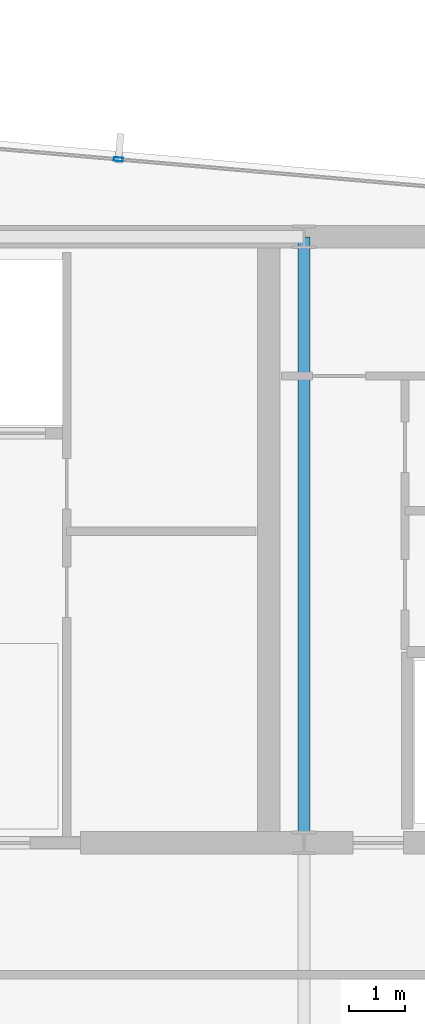
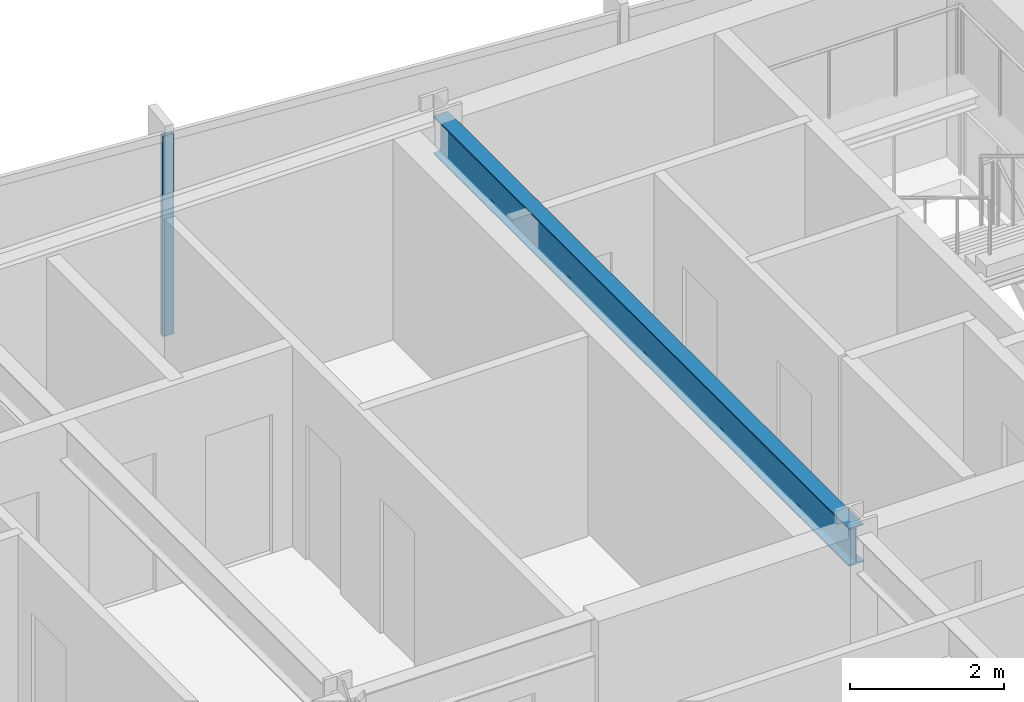
# One storey, part 19 of 32: 1 beam, 1 member, 1 element without a shape of its own.
"""IFC4 building model written with IfcOpenShell, lengths in metres."""

import ifcopenshell
import ifcopenshell.guid

model = None  # the IFC model being written
_history = None  # IfcOwnerHistory: only IFC2X3 demands one
_inside = {}  # id of a spatial element -> (the spatial element, [elements in it])
_under = {}  # id of a project, library or spatial element -> (it, [spatial elements below it])
_declared = {}  # id of a project -> (the project, [libraries it declares])
_typed = {}  # id of a type object -> (the type object, [elements of that type])
_made_of = {}  # id of a material, layer set ... -> (it, [elements and type objects made of it])


def new_model(schema):
    """Start an empty IFC model of exactly this schema.

    Asked for "IFC4X3", IfcOpenShell would pick the latest addendum, in which some entities
    have other attributes; the version numbers below select the first issue.
    IFC2X3 requires an IfcOwnerHistory on every rooted entity: one is made here for all.
    """
    global model, _history
    if schema == "IFC4X3":
        model = ifcopenshell.file(schema_version=(4, 3, 0, 0))
    else:
        model = ifcopenshell.file(schema=schema)
    _inside.clear()
    _under.clear()
    _declared.clear()
    _typed.clear()
    _made_of.clear()
    _history = None
    if model.schema == "IFC2X3":
        org = make("IfcOrganization", Name="unknown")
        user = make(
            "IfcPersonAndOrganization",
            ThePerson=make("IfcPerson", FamilyName="unknown"),
            TheOrganization=org,
        )
        app = make(
            "IfcApplication",
            ApplicationDeveloper=org,
            Version="unknown",
            ApplicationFullName="unknown",
            ApplicationIdentifier="unknown",
        )
        _history = make(
            "IfcOwnerHistory",
            OwningUser=user,
            OwningApplication=app,
            ChangeAction="ADDED",
            CreationDate=0,
        )
    return model


def make(cls, **values):
    """One entity of the class cls with the attributes given. An attribute that is None is left unset."""
    return model.create_entity(
        cls, **{name: value for name, value in values.items() if value is not None}
    )


def rooted(cls, **values):
    """An entity with a GlobalId (a new one), such as an element, a storey or a relation."""
    return make(cls, GlobalId=ifcopenshell.guid.new(), OwnerHistory=_history, **values)


def si_unit(unit_type, name, prefix=None):
    """IfcSIUnit, for example si_unit("LENGTHUNIT", "METRE", prefix="MILLI")."""
    return make("IfcSIUnit", UnitType=unit_type, Prefix=prefix, Name=name)


def assignment(units):
    """IfcUnitAssignment: the units of a project."""
    return None if units is None else make("IfcUnitAssignment", Units=units)


def point(xyz):
    """IfcCartesianPoint."""
    return None if xyz is None else make("IfcCartesianPoint", Coordinates=xyz)


def direction(xyz):
    """IfcDirection."""
    return None if xyz is None else make("IfcDirection", DirectionRatios=xyz)


def frame(location, z_axis=None, x_axis=None):
    """IfcAxis2Placement3D, a coordinate frame: its origin and axes. An axis left out is left unset."""
    return make(
        "IfcAxis2Placement3D",
        Location=point(location),
        Axis=direction(z_axis),
        RefDirection=direction(x_axis),
    )


def frame_2d(location, x_axis=None):
    """IfcAxis2Placement2D, a coordinate frame in the plane: its origin and x axis."""
    return make(
        "IfcAxis2Placement2D", Location=point(location), RefDirection=direction(x_axis)
    )


def origin():
    """The frame at (0, 0, 0) with its axes left unset."""
    return frame((0.0, 0.0, 0.0))


def origin_2d():
    """The frame at (0, 0) in the plane with its x axis left unset."""
    return frame_2d((0.0, 0.0))


def place(relative_to, where):
    """IfcLocalPlacement: puts the frame where relative to a parent placement (None: the world)."""
    return make(
        "IfcLocalPlacement", PlacementRelTo=relative_to, RelativePlacement=where
    )


def context(
    kind, dimensions, precision=None, world=None, true_north=None, identifier=None
):
    """IfcGeometricRepresentationContext, for example the 3D "Model" context."""
    return make(
        "IfcGeometricRepresentationContext",
        ContextIdentifier=identifier,
        ContextType=kind,
        CoordinateSpaceDimension=dimensions,
        Precision=precision,
        WorldCoordinateSystem=world,
        TrueNorth=true_north,
    )


def subcontext(parent, identifier, kind, view, scale=None):
    """IfcGeometricRepresentationSubContext, for example "Body" below "Model"."""
    return make(
        "IfcGeometricRepresentationSubContext",
        ContextIdentifier=identifier,
        ContextType=kind,
        ParentContext=parent,
        TargetScale=scale,
        TargetView=view,
    )


def project(units=None, contexts=None):
    """IfcProject with its units and contexts."""
    return rooted(
        "IfcProject",
        Name="project",
        RepresentationContexts=contexts,
        UnitsInContext=assignment(units),
    )


def spatial(cls, under=None, at=None, **own):
    """A site, building, storey or space (cls), placed at a placement, below another one or the project."""
    s = rooted(cls, ObjectPlacement=at, **own)
    if under is not None:
        _under.setdefault(under.id(), (under, []))[1].append(s)
    return s


def profile(cls, at=None, kind="AREA", **sizes):
    """A parametric profile (cls). Its sizes go by their IFC names, for example OverallWidth=200.0."""
    return make(cls, ProfileType=kind, Position=at, **sizes)


def hollow_rectangle(**sizes):
    """IfcRectangleHollowProfileDef."""
    return profile("IfcRectangleHollowProfileDef", **sizes)


def i_section(**sizes):
    """IfcIShapeProfileDef."""
    return profile("IfcIShapeProfileDef", **sizes)


def extrude(swept, where, along, depth):
    """IfcExtrudedAreaSolid: the profile swept, set in the frame where, extruded along a direction by depth."""
    return make(
        "IfcExtrudedAreaSolid",
        SweptArea=swept,
        Position=where,
        ExtrudedDirection=direction(along),
        Depth=depth,
    )


def shape(context_of_items, identifier, shape_type, items):
    """IfcShapeRepresentation: the items that make up one representation, for example the "Body"."""
    return make(
        "IfcShapeRepresentation",
        ContextOfItems=context_of_items,
        RepresentationIdentifier=identifier,
        RepresentationType=shape_type,
        Items=items,
    )


def material(Name=None, Category=None):
    """IfcMaterial."""
    return make("IfcMaterial", Name=Name, Category=Category)


def material_profile(
    of_material, cross_section, Name=None, Category=None, Priority=None
):
    """IfcMaterialProfile: a cross section and its material."""
    return make(
        "IfcMaterialProfile",
        Name=Name,
        Material=of_material,
        Profile=cross_section,
        Priority=Priority,
        Category=Category,
    )


def profile_set(profiles, Name=None, composite=None):
    """IfcMaterialProfileSet."""
    return make(
        "IfcMaterialProfileSet",
        Name=Name,
        MaterialProfiles=profiles,
        CompositeProfile=composite,
    )


def made_of(thing, what):
    """Note that an element or type object is made of a material, layer set ...; save() writes the relation."""
    if what is not None:
        _made_of.setdefault(what.id(), (what, []))[1].append(thing)
    return thing


def type_object(cls, material=None, **own):
    """A type object (cls), such as IfcWallType, which elements share."""
    return made_of(rooted(cls, **own), material)


def element(
    cls,
    number,
    at=None,
    inside=None,
    cuts=None,
    type_object=None,
    material=None,
    context=None,
    identifier="Body",
    shape_type=None,
    held_by="IfcProductDefinitionShape",
    body=None,
    shapes=None,
    **own,
):
    """One element of the class cls, such as IfcWall. Its Tag is "e" and its number.

    at: its placement. inside: the storey or other place that contains it. cuts: it is an
    opening in that element (IfcRelVoidsElement). A single representation is given by context,
    identifier, shape_type and body (its items); several are given by shapes. held_by: the class
    of the entity that holds the representations. save() writes the other relations.
    """
    e = rooted(cls, Tag="e%d" % number, ObjectPlacement=at, **own)
    if body is not None:
        shapes = [shape(context, identifier, shape_type, body)]
    if shapes is not None:
        e.Representation = make(held_by, Representations=shapes)
    if inside is not None:
        _inside.setdefault(inside.id(), (inside, []))[1].append(e)
    if cuts is not None:
        rooted(
            "IfcRelVoidsElement", RelatingBuildingElement=cuts, RelatedOpeningElement=e
        )
    if type_object is not None:
        _typed.setdefault(type_object.id(), (type_object, []))[1].append(e)
    return made_of(e, material)


def aggregate(whole, parts):
    """IfcRelAggregates: a whole, such as a stair, and the parts it consists of."""
    return rooted("IfcRelAggregates", RelatingObject=whole, RelatedObjects=parts)


def save(model, path):
    """Write the relations noted so far, then the file.

    IfcRelAggregates (storeys below a building ...), IfcRelContainedInSpatialStructure (elements
    in a storey), IfcRelDefinesByType, IfcRelAssociatesMaterial and IfcRelDeclares: one each for
    every whole, place, type object, material and project.
    """
    for whole, parts in _under.values():
        aggregate(whole, parts)
    for where, things in _inside.values():
        rooted(
            "IfcRelContainedInSpatialStructure",
            RelatedElements=things,
            RelatingStructure=where,
        )
    for kind, things in _typed.values():
        rooted("IfcRelDefinesByType", RelatedObjects=things, RelatingType=kind)
    for what, things in _made_of.values():
        rooted("IfcRelAssociatesMaterial", RelatedObjects=things, RelatingMaterial=what)
    for by, libraries in _declared.values():
        rooted("IfcRelDeclares", RelatingContext=by, RelatedDefinitions=libraries)
    model.write(path)


model = new_model("IFC4")

# Units and contexts
model_context = context("Model", 3, precision=1e-05, world=origin(), true_north=direction((0.0, 1.0)))
body_context = subcontext(model_context, "Body", "Model", "MODEL_VIEW")
ifc_project = project(units=[si_unit("LENGTHUNIT", "METRE"), si_unit("AREAUNIT", "SQUARE_METRE"), si_unit("VOLUMEUNIT", "CUBIC_METRE"), si_unit("PLANEANGLEUNIT", "RADIAN"), si_unit("MASSUNIT", "GRAM", prefix="KILO")], contexts=[model_context])

# Site, building, storey
site_placement = place(None, origin())
site = spatial("IfcSite", under=ifc_project, at=site_placement, CompositionType="ELEMENT")
building_placement = place(site_placement, origin())
building = spatial("IfcBuilding", under=site, at=building_placement, Name="Yelkora Congress Tower", CompositionType="ELEMENT")
storey_placement = place(building_placement, frame((0.0, 0.0, 276.10009765625)))
storey = spatial("IfcBuildingStorey", under=building, at=storey_placement, Name="L77", CompositionType="ELEMENT", Elevation=276.10009765625)

# Beam
ifc_material_1 = material(Name="Steel S355J2", Category="steel")
ifc_material_profile_1 = material_profile(ifc_material_1, i_section(OverallWidth=0.219970703125, OverallDepth=0.60009765625, WebThickness=0.011962890625, FlangeThickness=0.01904296875, FilletRadius=0.02392578125, at=origin_2d()), Name="IPE 600")
ifc_profile_set_1 = profile_set([ifc_material_profile_1], Name="Steel S355J2")
beam_type = type_object("IfcBeamType", Name="BM-GIRD-IPE600", PredefinedType="BEAM", material=ifc_profile_set_1)
beam_placement = place(storey_placement, frame((46.080078125, 35.39990234375, 2.8798828125), z_axis=(0.0, 1.0, 0.0), x_axis=(-1.0, 0.0, 0.0)))
element("IfcBeam", 1, at=beam_placement, inside=storey, type_object=beam_type, Name="L77 Core Tie Girder MC-S4", PredefinedType="BEAM", context=body_context, shape_type="SweptSolid", body=[
    extrude(i_section(OverallWidth=0.219970703125, OverallDepth=0.60009765625, WebThickness=0.011962890625, FlangeThickness=0.01904296875, FilletRadius=0.02392578125, at=origin_2d()), origin(), (0.0, 0.0, 1.0), 10.800048828125),
])

# Curtain wall, member
ifc_material_2 = material(Name="Anodised aluminium and insulated glass", Category="aluminium")
curtain_wall_type = type_object("IfcCurtainWallType", Name="CW-SYS-B5", PredefinedType="NOTDEFINED", material=ifc_material_2)
curtain_wall_placement = place(storey_placement, origin())
curtain_wall = element("IfcCurtainWall", 2, at=curtain_wall_placement, inside=storey, type_object=curtain_wall_type, Name="L77 Unitised Curtain Wall 10", PredefinedType="NOTDEFINED")
ifc_material_3 = material(Name="Anodised aluminium 6063-T6", Category="aluminium")
ifc_material_profile_2 = material_profile(ifc_material_3, hollow_rectangle(XDim=0.06494140625, YDim=0.159912109375, WallThickness=0.00390625, at=origin_2d()), Name="ALU 65x160x4")
ifc_profile_set_2 = profile_set([ifc_material_profile_2], Name="Anodised aluminium 6063-T6")
member_type = type_object("IfcMemberType", Name="MEM-ML-B5", PredefinedType="MULLION", material=ifc_profile_set_2)
member_placement = place(storey_placement, frame((42.77294921875, 47.58154296875, 0.0), z_axis=(0.0, 0.0, 1.0), x_axis=(0.087156639893, 0.996194619601, 0.0)))
member = element("IfcMember", 3, at=member_placement, type_object=member_type, Name="CW-B5 mullion 6", PredefinedType="MULLION", context=body_context, shape_type="SweptSolid", body=[
    extrude(hollow_rectangle(XDim=0.06494140625, YDim=0.159912109375, WallThickness=0.00390625, at=origin_2d()), origin(), (0.0, 0.0, 1.0), 3.179931640625),
])
aggregate(curtain_wall, [member])

save(model, "model.ifc")
